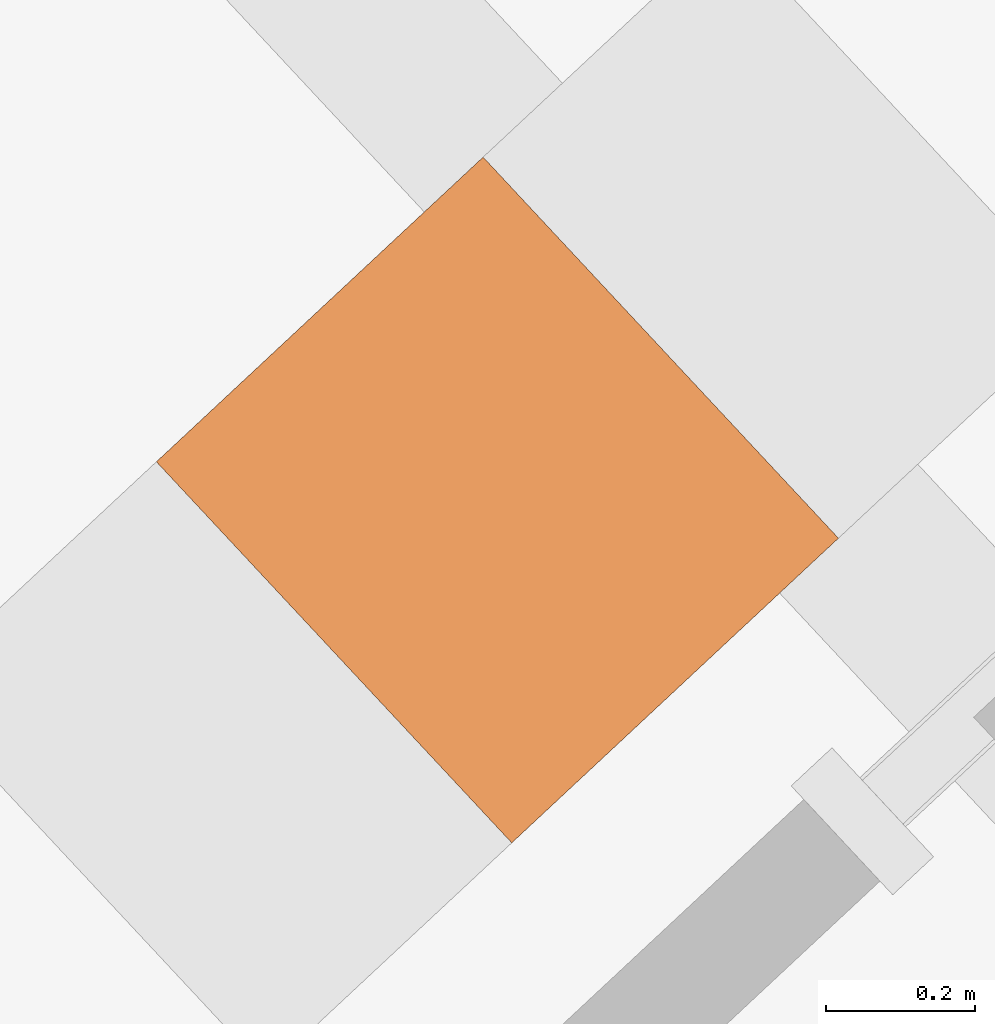
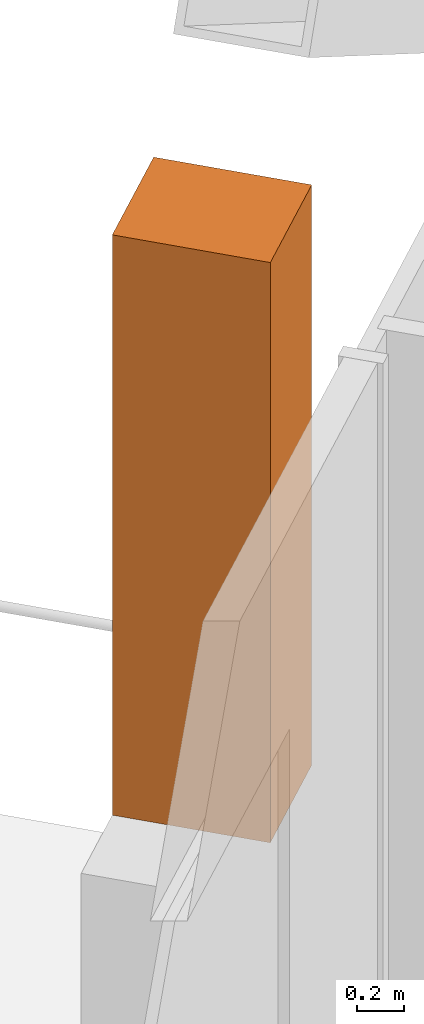
# One storey, part 20 of 20: 1 geographic element.
"""IFC4 building model written with IfcOpenShell, lengths in metres."""

from ifc_helpers import new_model, si_unit, direction, frame, origin, origin_2d, place, context, subcontext, project, spatial, rectangle, extrude, source, transform, mapped, material, type_object, element, save


model = new_model("IFC4")

# Units and contexts
model_context = context("Model", 3, precision=1e-05, world=origin(), true_north=direction((0.0, 1.0)))
body_context = subcontext(model_context, "Body", "Model", "MODEL_VIEW")
ifc_project = project(units=[si_unit("LENGTHUNIT", "METRE"), si_unit("AREAUNIT", "SQUARE_METRE"), si_unit("VOLUMEUNIT", "CUBIC_METRE"), si_unit("PLANEANGLEUNIT", "RADIAN"), si_unit("MASSUNIT", "GRAM", prefix="KILO")], contexts=[model_context])

# Site, building, storey
site_placement = place(None, origin())
site = spatial("IfcSite", under=ifc_project, at=site_placement, CompositionType="ELEMENT")
building_placement = place(site_placement, origin())
building = spatial("IfcBuilding", under=site, at=building_placement, Name="Triune Harvest Tower", CompositionType="ELEMENT")
storey_placement = place(building_placement, frame((0.0, 0.0, 116.300048828125)))
storey = spatial("IfcBuildingStorey", under=building, at=storey_placement, Name="L29", CompositionType="ELEMENT", Elevation=116.300048828125)

# Geographic element
ifc_material = material(Name="TREE-1 tree")
geographic_element_type = type_object("IfcGeographicElementType", Name="TREE-1 tree", PredefinedType="USERDEFINED", material=ifc_material)
shared_shape = source(origin(), body_context, "Body", "SweptSolid", [
    extrude(rectangle(XDim=0.60009765625, YDim=0.699951171875, at=origin_2d()), origin(), (0.0, 0.0, 1.0), 3.0),
])
geographic_element_placement = place(storey_placement, frame((-21.850830078125, 10.626708984375, 1.099853515625), z_axis=(0.0, 0.0, 1.0), x_axis=(-0.73135336394, -0.681998722179, 0.0)))
element("IfcGeographicElement", 1, at=geographic_element_placement, inside=storey, type_object=geographic_element_type, Name="Tree B3-F3 L29.9a", ObjectType="TREE", PredefinedType="USERDEFINED", context=body_context, shape_type="MappedRepresentation", body=[
    mapped(shared_shape, transform((0.0, 0.0, 0.0), scale=1.0)),
])

save(model, "model.ifc")
